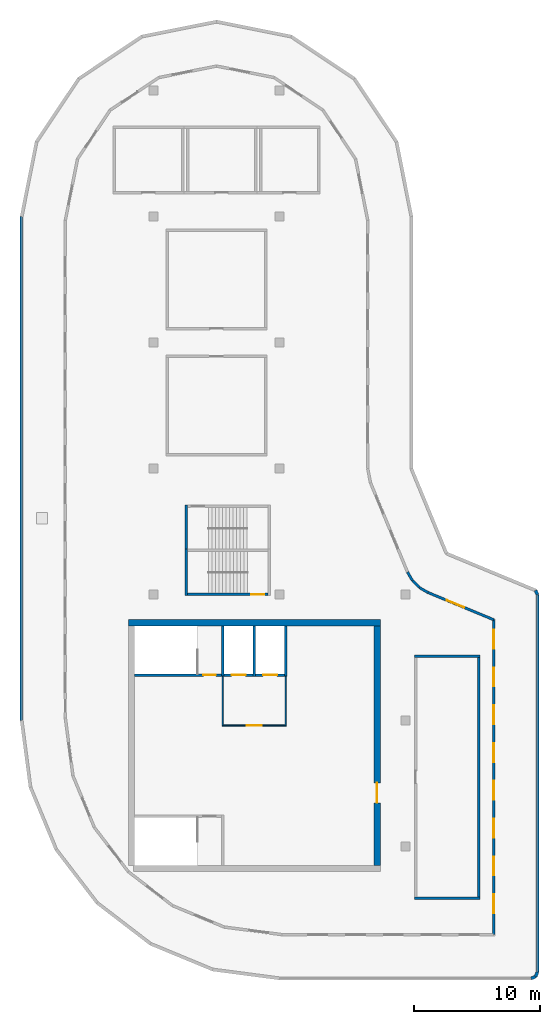
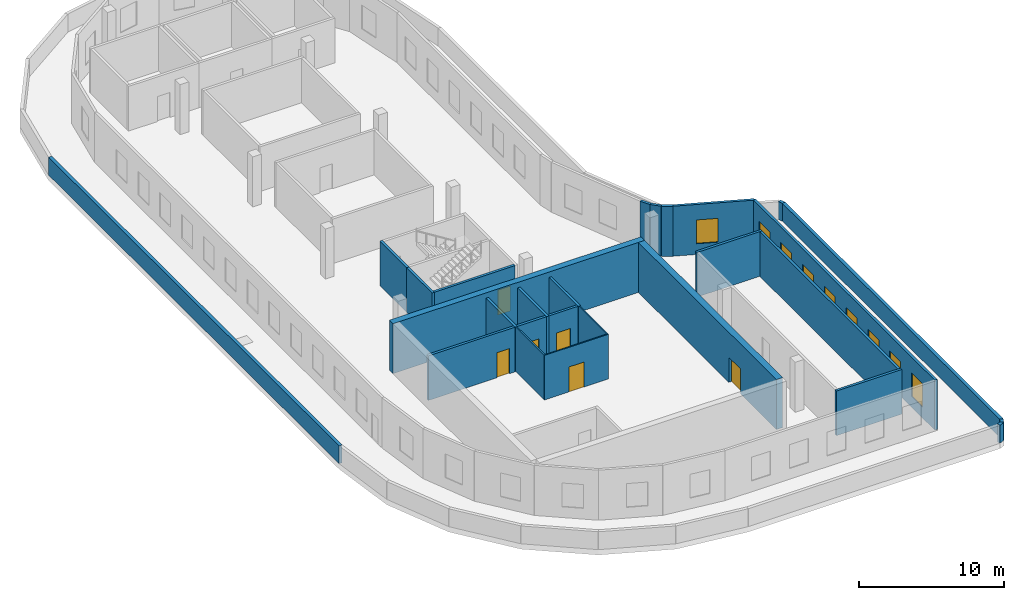
# One storey, part 2 of 6: 27 walls, 9 windows, 6 doors, 15 openings.
"""IFC4 building model written with IfcOpenShell, lengths in metres."""

from ifc_helpers import new_model, si_unit, direction, frame, frame_2d, origin, place, context, subcontext, project, spatial, rectangle, extrude, material, layer, layer_set, type_object, element, fill, save


model = new_model("IFC4")

# Units and contexts
model_context = context("Model", 3, precision=1e-05, world=origin(), true_north=direction((0.0, 1.0)))
body_context = subcontext(model_context, "Body", "Model", "MODEL_VIEW")
ifc_project = project(units=[si_unit("LENGTHUNIT", "METRE"), si_unit("AREAUNIT", "SQUARE_METRE"), si_unit("VOLUMEUNIT", "CUBIC_METRE"), si_unit("PLANEANGLEUNIT", "RADIAN"), si_unit("MASSUNIT", "GRAM", prefix="KILO")], contexts=[model_context])

# Site, building, storey
site_placement = place(None, origin())
site = spatial("IfcSite", under=ifc_project, at=site_placement, CompositionType="ELEMENT")
building_placement = place(site_placement, origin())
building = spatial("IfcBuilding", under=site, at=building_placement, Name="Qaws Garden Tower", CompositionType="ELEMENT")
storey_placement = place(building_placement, frame((0.0, 0.0, 365.39990234375)))
storey = spatial("IfcBuildingStorey", under=building, at=storey_placement, Name="C1", CompositionType="ELEMENT", Elevation=365.39990234375)

# Walls
ifc_material_1 = material(Name="Plasterboard")
ifc_layer_1 = layer(ifc_material_1, 0.10009765625)
ifc_layer_set_1 = layer_set([ifc_layer_1], Name="Plasterboard")
wall_type_1 = type_object("IfcWallType", Name="Core partition 100", PredefinedType="PARTITIONING", material=ifc_layer_set_1)
for number, where, z_axis, x_axis, name in (
    (1, (15.5, 19.60009765625, 0.0), (0.0, 0.0, 1.0), (0.0, 1.0, 0.0), "Lift lobby wall"),
    (2, (20.5, 19.60009765625, 0.0), (0.0, 0.0, 1.0), (0.0, 1.0, 0.0), "Lift lobby wall"),
):
    element("IfcWall", number, at=place(storey_placement, frame(where, z_axis=z_axis, x_axis=x_axis)), inside=storey, type_object=wall_type_1, Name=name, PredefinedType="PARTITIONING", context=body_context, shape_type="SweptSolid", body=[
        extrude(rectangle(XDim=3.89990234375, YDim=0.10009765625, at=frame_2d((1.949951171875, 0.0))), origin(), (0.0, 0.0, 1.0), 3.75),
    ])

# Wall, opening, door
wall_1_placement = place(storey_placement, frame((15.449951171875, 19.60009765625, 0.0), z_axis=(0.0, 0.0, 1.0), x_axis=(1.0, 0.0, 0.0)))
wall_1 = element("IfcWall", 3, at=wall_1_placement, inside=storey, type_object=wall_type_1, Name="Lift lobby wall", PredefinedType="PARTITIONING", context=body_context, shape_type="SweptSolid", body=[
    extrude(rectangle(XDim=5.10009765625, YDim=0.10009765625, at=frame_2d((2.550048828125, 0.0))), origin(), (0.0, 0.0, 1.0), 3.75),
])
opening_1_placement = place(wall_1_placement, frame((1.949951171875, 0.0, 0.0)))
opening_1 = element("IfcOpeningElement", 4, at=opening_1_placement, cuts=wall_1, Name="Opening FD", PredefinedType="OPENING", context=body_context, shape_type="SweptSolid", body=[
    extrude(rectangle(XDim=1.199951171875, YDim=2.10009765625, at=frame_2d((0.60009765625, 1.050048828125))), frame((0.0, 0.06005859375, 0.0), z_axis=(0.0, -1.0, 0.0), x_axis=(1.0, 0.0, 0.0)), (0.0, 0.0, 1.0), 0.1201171875),
])
ifc_material_2 = material(Name="Steel S235", Category="steel")
door_type_1 = type_object("IfcDoorType", Name="Lobby door 1200x2100", OperationType="DOUBLE_DOOR_SINGLE_SWING", PredefinedType="DOOR", material=ifc_material_2)
door_1_placement = place(opening_1_placement, origin())
door_1 = element("IfcDoor", 5, at=door_1_placement, inside=storey, type_object=door_type_1, Name="Crown lift lobby door", OperationType="DOUBLE_DOOR_SINGLE_SWING", OverallHeight=2.10009765625, OverallWidth=1.199951171875, PredefinedType="DOOR", context=body_context, shape_type="SweptSolid", body=[
    extrude(rectangle(XDim=1.199951171875, YDim=2.10009765625, at=frame_2d((0.60009765625, 1.050048828125))), frame((0.0, 0.02490234375, 0.0), z_axis=(0.0, -1.0, 0.0), x_axis=(1.0, 0.0, 0.0)), (0.0, 0.0, 1.0), 0.050048828125),
])
fill(opening_1, door_1)

# Wall
ifc_material_3 = material(Name="Concrete C60", Category="concrete")
ifc_layer_2 = layer(ifc_material_3, 0.199951171875)
ifc_layer_set_2 = layer_set([ifc_layer_2], Name="Concrete C60")
wall_type_2 = type_object("IfcWallType", Name="Core shaft wall 200 C60", PredefinedType="SHEAR", material=ifc_layer_set_2)
wall_2_placement = place(storey_placement, frame((15.5, 23.5, 0.0), z_axis=(0.0, 0.0, 1.0), x_axis=(0.0, 1.0, 0.0)))
element("IfcWall", 6, at=wall_2_placement, inside=storey, type_object=wall_type_2, Name="Stair 4 wall", PredefinedType="SHEAR", context=body_context, shape_type="SweptSolid", body=[
    extrude(rectangle(XDim=4.0, YDim=0.199951171875, at=frame_2d((2.0, 0.0))), origin(), (0.0, 0.0, 1.0), 3.75),
])

# Wall, opening, door
wall_3_placement = place(storey_placement, frame((8.5, 23.60009765625, 0.0), z_axis=(0.0, 0.0, 1.0), x_axis=(1.0, 0.0, 0.0)))
wall_3 = element("IfcWall", 7, at=wall_3_placement, inside=storey, type_object=wall_type_2, Name="Stair 4 wall", PredefinedType="SHEAR", context=body_context, shape_type="SweptSolid", body=[
    extrude(rectangle(XDim=6.89990234375, YDim=0.199951171875, at=frame_2d((3.449951171875, 0.0))), origin(), (0.0, 0.0, 1.0), 3.75),
])
opening_2_placement = place(wall_3_placement, frame((5.449951171875, 0.0, 0.0)))
opening_2 = element("IfcOpeningElement", 8, at=opening_2_placement, cuts=wall_3, Name="Opening C1016", PredefinedType="OPENING", context=body_context, shape_type="SweptSolid", body=[
    extrude(rectangle(XDim=1.0, YDim=2.10009765625, at=frame_2d((0.5, 1.050048828125))), frame((0.0, 0.10986328125, 0.0), z_axis=(0.0, -1.0, 0.0), x_axis=(1.0, 0.0, 0.0)), (0.0, 0.0, 1.0), 0.219970703125),
])
ifc_material_4 = material(Name="Steel S235", Category="steel")
door_type_2 = type_object("IfcDoorType", Name="Stair door 1000x2100", OperationType="SINGLE_SWING_RIGHT", PredefinedType="DOOR", material=ifc_material_4)
door_2_placement = place(opening_2_placement, origin())
door_2 = element("IfcDoor", 9, at=door_2_placement, inside=storey, type_object=door_type_2, Name="Stair 4 door", OperationType="SINGLE_SWING_RIGHT", OverallHeight=2.10009765625, OverallWidth=1.0, PredefinedType="DOOR", context=body_context, shape_type="SweptSolid", body=[
    extrude(rectangle(XDim=1.0, YDim=2.10009765625, at=frame_2d((0.5, 1.050048828125))), frame((0.0, 0.02490234375, 0.0), z_axis=(0.0, -1.0, 0.0), x_axis=(1.0, 0.0, 0.0)), (0.0, 0.0, 1.0), 0.050048828125),
])
fill(opening_2, door_2)

wall_4_placement = place(storey_placement, frame((12.699951171875, 30.0, 0.0), z_axis=(0.0, 0.0, 1.0), x_axis=(1.0, 0.0, 0.0)))
wall_4 = element("IfcWall", 10, at=wall_4_placement, inside=storey, type_object=wall_type_2, Name="Crown stair 1 wall", PredefinedType="SHEAR", context=body_context, shape_type="SweptSolid", body=[
    extrude(rectangle(XDim=6.400146484375, YDim=0.199951171875, at=frame_2d((3.2001953125, 0.0))), origin(), (0.0, 0.0, 1.0), 3.75),
])
opening_3_placement = place(wall_4_placement, frame((5.074951171875, 0.0, 0.0)))
opening_3 = element("IfcOpeningElement", 11, at=opening_3_placement, cuts=wall_4, Name="Opening C1015", PredefinedType="OPENING", context=body_context, shape_type="SweptSolid", body=[
    extrude(rectangle(XDim=1.0, YDim=2.10009765625, at=frame_2d((0.5, 1.050048828125))), frame((0.0, 0.10986328125, 0.0), z_axis=(0.0, -1.0, 0.0), x_axis=(1.0, 0.0, 0.0)), (0.0, 0.0, 1.0), 0.219970703125),
])
door_3_placement = place(opening_3_placement, origin())
door_3 = element("IfcDoor", 12, at=door_3_placement, inside=storey, type_object=door_type_2, Name="Crown stair 1 door", OperationType="SINGLE_SWING_RIGHT", OverallHeight=2.10009765625, OverallWidth=1.0, PredefinedType="DOOR", context=body_context, shape_type="SweptSolid", body=[
    extrude(rectangle(XDim=1.0, YDim=2.10009765625, at=frame_2d((0.5, 1.050048828125))), frame((0.0, 0.02490234375, 0.0), z_axis=(0.0, -1.0, 0.0), x_axis=(1.0, 0.0, 0.0)), (0.0, 0.0, 1.0), 0.050048828125),
])
fill(opening_3, door_3)

# Walls
for number, where, z_axis, x_axis, name in (
    (13, (12.60009765625, 29.89990234375, 0.0), (0.0, 0.0, 1.0), (0.0, 1.0, 0.0), "Crown stair 1 wall"),
    (14, (12.60009765625, 33.39990234375, 0.0), (0.0, 0.0, 1.0), (0.0, 1.0, 0.0), "Crown stair 2 wall"),
):
    element("IfcWall", number, at=place(storey_placement, frame(where, z_axis=z_axis, x_axis=x_axis)), inside=storey, type_object=wall_type_2, Name=name, PredefinedType="SHEAR", context=body_context, shape_type="SweptSolid", body=[
        extrude(rectangle(XDim=3.7001953125, YDim=0.199951171875, at=frame_2d((1.85009765625, 0.0))), origin(), (0.0, 0.0, 1.0), 3.75),
    ])
for number, where, z_axis, x_axis, name in (
    (15, (18.0, 23.5, 0.0), (0.0, 0.0, 1.0), (0.0, 1.0, 0.0), "Lift shaft wall"),
    (16, (20.5, 23.5, 0.0), (0.0, 0.0, 1.0), (0.0, 1.0, 0.0), "Lift shaft wall"),
):
    element("IfcWall", number, at=place(storey_placement, frame(where, z_axis=z_axis, x_axis=x_axis)), inside=storey, type_object=wall_type_2, Name=name, PredefinedType="SHEAR", context=body_context, shape_type="SweptSolid", body=[
        extrude(rectangle(XDim=4.0, YDim=0.199951171875, at=frame_2d((2.0, 0.0))), origin(), (0.0, 0.0, 1.0), 3.75),
    ])

# Wall, opening, door
wall_5_placement = place(storey_placement, frame((15.60009765625, 23.60009765625, 0.0), z_axis=(0.0, 0.0, 1.0), x_axis=(1.0, 0.0, 0.0)))
wall_5 = element("IfcWall", 17, at=wall_5_placement, inside=storey, type_object=wall_type_2, Name="Lift shaft wall", PredefinedType="SHEAR", context=body_context, shape_type="SweptSolid", body=[
    extrude(rectangle(XDim=2.2998046875, YDim=0.199951171875, at=frame_2d((1.14990234375, 0.0))), origin(), (0.0, 0.0, 1.0), 3.75),
])
opening_4_placement = place(wall_5_placement, frame((0.60009765625, 0.0, 0.0)))
opening_4 = element("IfcOpeningElement", 18, at=opening_4_placement, cuts=wall_5, Name="Opening LD", PredefinedType="OPENING", context=body_context, shape_type="SweptSolid", body=[
    extrude(rectangle(XDim=1.10009765625, YDim=2.10009765625, at=frame_2d((0.550048828125, 1.050048828125))), frame((0.0, 0.10986328125, 0.0), z_axis=(0.0, -1.0, 0.0), x_axis=(1.0, 0.0, 0.0)), (0.0, 0.0, 1.0), 0.219970703125),
])
ifc_material_5 = material(Name="Steel S235", Category="steel")
door_type_3 = type_object("IfcDoorType", Name="Landing door 1100x2100", OperationType="DOUBLE_DOOR_SLIDING", PredefinedType="DOOR", material=ifc_material_5)
door_4_placement = place(opening_4_placement, origin())
door_4 = element("IfcDoor", 19, at=door_4_placement, inside=storey, type_object=door_type_3, Name="Lift FF3 landing door", OperationType="DOUBLE_DOOR_SLIDING", OverallHeight=2.10009765625, OverallWidth=1.10009765625, PredefinedType="DOOR", context=body_context, shape_type="SweptSolid", body=[
    extrude(rectangle(XDim=1.10009765625, YDim=2.10009765625, at=frame_2d((0.550048828125, 1.050048828125))), frame((0.0, 0.02490234375, 0.0), z_axis=(0.0, -1.0, 0.0), x_axis=(1.0, 0.0, 0.0)), (0.0, 0.0, 1.0), 0.050048828125),
])
fill(opening_4, door_4)

wall_6_placement = place(storey_placement, frame((18.10009765625, 23.60009765625, 0.0), z_axis=(0.0, 0.0, 1.0), x_axis=(1.0, 0.0, 0.0)))
wall_6 = element("IfcWall", 20, at=wall_6_placement, inside=storey, type_object=wall_type_2, Name="Lift shaft wall", PredefinedType="SHEAR", context=body_context, shape_type="SweptSolid", body=[
    extrude(rectangle(XDim=2.2998046875, YDim=0.199951171875, at=frame_2d((1.14990234375, 0.0))), origin(), (0.0, 0.0, 1.0), 3.75),
])
opening_5_placement = place(wall_6_placement, frame((0.60009765625, 0.0, 0.0)))
opening_5 = element("IfcOpeningElement", 21, at=opening_5_placement, cuts=wall_6, Name="Opening LD", PredefinedType="OPENING", context=body_context, shape_type="SweptSolid", body=[
    extrude(rectangle(XDim=1.10009765625, YDim=2.10009765625, at=frame_2d((0.550048828125, 1.050048828125))), frame((0.0, 0.10986328125, 0.0), z_axis=(0.0, -1.0, 0.0), x_axis=(1.0, 0.0, 0.0)), (0.0, 0.0, 1.0), 0.219970703125),
])
door_5_placement = place(opening_5_placement, origin())
door_5 = element("IfcDoor", 22, at=door_5_placement, inside=storey, type_object=door_type_3, Name="Lift SV2 landing door", OperationType="DOUBLE_DOOR_SLIDING", OverallHeight=2.10009765625, OverallWidth=1.10009765625, PredefinedType="DOOR", context=body_context, shape_type="SweptSolid", body=[
    extrude(rectangle(XDim=1.10009765625, YDim=2.10009765625, at=frame_2d((0.550048828125, 1.050048828125))), frame((0.0, 0.02490234375, 0.0), z_axis=(0.0, -1.0, 0.0), x_axis=(1.0, 0.0, 0.0)), (0.0, 0.0, 1.0), 0.050048828125),
])
fill(opening_5, door_5)

ifc_material_6 = material(Name="Concrete C60", Category="concrete")
ifc_layer_3 = layer(ifc_material_6, 0.5)
ifc_layer_set_3 = layer_set([ifc_layer_3], Name="Concrete C60")
wall_type_3 = type_object("IfcWallType", Name="Core wall 500 C60", PredefinedType="SHEAR", material=ifc_layer_set_3)
wall_7_placement = place(storey_placement, frame((27.75, 8.5, 0.0), z_axis=(0.0, 0.0, 1.0), x_axis=(0.0, 1.0, 0.0)))
wall_7 = element("IfcWall", 23, at=wall_7_placement, inside=storey, type_object=wall_type_3, Name="Core wall C1 east", PredefinedType="SHEAR", context=body_context, shape_type="SweptSolid", body=[
    extrude(rectangle(XDim=19.0, YDim=0.5, at=frame_2d((9.5, 0.0))), origin(), (0.0, 0.0, 1.0), 4.2001953125),
])
opening_6_placement = place(wall_7_placement, frame((4.949951171875, 0.0, 0.0)))
opening_6 = element("IfcOpeningElement", 24, at=opening_6_placement, cuts=wall_7, Name="Opening C1017", PredefinedType="OPENING", context=body_context, shape_type="SweptSolid", body=[
    extrude(rectangle(XDim=1.60009765625, YDim=2.10009765625, at=frame_2d((0.800048828125, 1.050048828125))), frame((0.0, 0.260009765625, 0.0), z_axis=(0.0, -1.0, 0.0), x_axis=(1.0, 0.0, 0.0)), (0.0, 0.0, 1.0), 0.52001953125),
])
ifc_material_7 = material(Name="Steel S235", Category="steel")
door_type_4 = type_object("IfcDoorType", Name="Core entrance door 1600x2100", OperationType="DOUBLE_DOOR_SINGLE_SWING", PredefinedType="DOOR", material=ifc_material_7)
door_6_placement = place(opening_6_placement, origin())
door_6 = element("IfcDoor", 25, at=door_6_placement, inside=storey, type_object=door_type_4, Name="Crown core entrance door", OperationType="DOUBLE_DOOR_SINGLE_SWING", OverallHeight=2.10009765625, OverallWidth=1.60009765625, PredefinedType="DOOR", context=body_context, shape_type="SweptSolid", body=[
    extrude(rectangle(XDim=1.60009765625, YDim=2.10009765625, at=frame_2d((0.800048828125, 1.050048828125))), frame((0.0, 0.02490234375, 0.0), z_axis=(0.0, -1.0, 0.0), x_axis=(1.0, 0.0, 0.0)), (0.0, 0.0, 1.0), 0.050048828125),
])
fill(opening_6, door_6)

# Walls
wall_8_placement = place(storey_placement, frame((28.0, 27.75, 0.0), z_axis=(0.0, 0.0, 1.0), x_axis=(-1.0, 0.0, 0.0)))
element("IfcWall", 26, at=wall_8_placement, inside=storey, type_object=wall_type_3, Name="Core wall C1 north", PredefinedType="SHEAR", context=body_context, shape_type="SweptSolid", body=[
    extrude(rectangle(XDim=20.0, YDim=0.5, at=frame_2d((10.0, 0.0))), origin(), (0.0, 0.0, 1.0), 4.2001953125),
])
ifc_material_8 = material(Name="Brick masonry", Category="masonry")
ifc_layer_4 = layer(ifc_material_8, 0.25)
ifc_layer_set_4 = layer_set([ifc_layer_4], Name="Brick masonry")
wall_type_4 = type_object("IfcWallType", Name="Parapet 250", PredefinedType="PARAPET", material=ifc_layer_set_4)
wall_9_placement = place(storey_placement, frame((40.32861328125, 30.32861328125, 0.0), z_axis=(0.0, 0.0, 1.0), x_axis=(0.382802560388, -0.92383017907, 0.0)))
element("IfcWall", 27, at=wall_9_placement, inside=storey, type_object=wall_type_4, Name="Maintenance terrace parapet C1", PredefinedType="PARAPET", context=body_context, shape_type="SweptSolid", body=[
    extrude(rectangle(XDim=0.382568359375, YDim=0.25, at=frame_2d((0.19140625, 0.0))), origin(), (0.0, 0.0, 1.0), 1.5),
])
wall_10_placement = place(storey_placement, frame((40.47509765625, 29.97509765625, 0.0), z_axis=(0.0, 0.0, 1.0), x_axis=(0.0, -1.0, 0.0)))
element("IfcWall", 28, at=wall_10_placement, inside=storey, type_object=wall_type_4, Name="Maintenance terrace parapet C1", PredefinedType="PARAPET", context=body_context, shape_type="SweptSolid", body=[
    extrude(rectangle(XDim=29.9501953125, YDim=0.25, at=frame_2d((14.97509765625, 0.0))), origin(), (0.0, 0.0, 1.0), 1.5),
])
for number, where, z_axis, x_axis, name in (
    (29, (40.47509765625, 0.02490234375, 0.0), (0.0, 0.0, 1.0), (-0.382802560388, -0.92383017907, 0.0), "Maintenance terrace parapet C1"),
    (30, (40.32861328125, -0.32861328125, 0.0), (0.0, 0.0, 1.0), (-0.92383017907, -0.382802560388, 0.0), "Maintenance terrace parapet C1"),
):
    element("IfcWall", number, at=place(storey_placement, frame(where, z_axis=z_axis, x_axis=x_axis)), inside=storey, type_object=wall_type_4, Name=name, PredefinedType="PARAPET", context=body_context, shape_type="SweptSolid", body=[
        extrude(rectangle(XDim=0.382568359375, YDim=0.25, at=frame_2d((0.19140625, 0.0))), origin(), (0.0, 0.0, 1.0), 1.5),
    ])
wall_11_placement = place(storey_placement, frame((-0.47509765625, 20.00830078125, 0.0), z_axis=(0.0, 0.0, 1.0), x_axis=(0.0, 1.0, 0.0)))
element("IfcWall", 31, at=wall_11_placement, inside=storey, type_object=wall_type_4, Name="Maintenance terrace parapet C1", PredefinedType="PARAPET", context=body_context, shape_type="SweptSolid", body=[
    extrude(rectangle(XDim=39.9794921875, YDim=0.25, at=frame_2d((19.98974609375, 0.0))), origin(), (0.0, 0.0, 1.0), 1.5),
])
ifc_material_9 = material(Name="Blockwork", Category="masonry")
ifc_layer_5 = layer(ifc_material_9, 0.199951171875)
ifc_layer_set_5 = layer_set([ifc_layer_5], Name="Blockwork")
wall_type_5 = type_object("IfcWallType", Name="Plant room wall 200", PredefinedType="PARTITIONING", material=ifc_layer_set_5)
for number, where, z_axis, x_axis, name in (
    (32, (30.699951171875, 5.89990234375, 0.0), (0.0, 0.0, 1.0), (1.0, 0.0, 0.0), "Boiler plant room wall"),
    (33, (30.699951171875, 25.10009765625, 0.0), (0.0, 0.0, 1.0), (1.0, 0.0, 0.0), "Boiler plant room wall"),
):
    element("IfcWall", number, at=place(storey_placement, frame(where, z_axis=z_axis, x_axis=x_axis)), inside=storey, type_object=wall_type_5, Name=name, PredefinedType="PARTITIONING", context=body_context, shape_type="SweptSolid", body=[
        extrude(rectangle(XDim=5.199951171875, YDim=0.199951171875, at=frame_2d((2.60009765625, 0.0))), origin(), (0.0, 0.0, 1.0), 3.75),
    ])
wall_12_placement = place(storey_placement, frame((35.800048828125, 6.0, 0.0), z_axis=(0.0, 0.0, 1.0), x_axis=(0.0, 1.0, 0.0)))
element("IfcWall", 34, at=wall_12_placement, inside=storey, type_object=wall_type_5, Name="Boiler plant room wall", PredefinedType="PARTITIONING", context=body_context, shape_type="SweptSolid", body=[
    extrude(rectangle(XDim=19.0, YDim=0.199951171875, at=frame_2d((9.5, 0.0))), origin(), (0.0, 0.0, 1.0), 3.75),
])
ifc_material_10 = material(Name="Brick masonry", Category="masonry")
ifc_layer_6 = layer(ifc_material_10, 0.199951171875)
ifc_layer_set_6 = layer_set([ifc_layer_6], Name="Brick masonry")
wall_type_6 = type_object("IfcWallType", Name="Plant screen louvre 200", PredefinedType="STANDARD", material=ifc_layer_set_6)
wall_13_placement = place(storey_placement, frame((30.159912109375, 31.77490234375, 0.0), z_axis=(0.0, 0.0, 1.0), x_axis=(0.49972245349, -0.866185586049, 0.0)))
element("IfcWall", 35, at=wall_13_placement, inside=storey, type_object=wall_type_6, Name="Plant screen wall C1 19", PredefinedType="STANDARD", context=body_context, shape_type="SweptSolid", body=[
    extrude(rectangle(XDim=0.77685546875, YDim=0.199951171875, at=frame_2d((0.388427734375, 0.0))), origin(), (0.0, 0.0, 1.0), 4.2001953125),
])
wall_14_placement = place(storey_placement, frame((30.548095703125, 31.10205078125, 0.0), z_axis=(0.0, 0.0, 1.0), x_axis=(0.707106781187, -0.707106781187, 0.0)))
element("IfcWall", 36, at=wall_14_placement, inside=storey, type_object=wall_type_6, Name="Plant screen wall C1 20", PredefinedType="STANDARD", context=body_context, shape_type="SweptSolid", body=[
    extrude(rectangle(XDim=0.783447265625, YDim=0.199951171875, at=frame_2d((0.3916015625, 0.0))), origin(), (0.0, 0.0, 1.0), 4.2001953125),
])
wall_15_placement = place(storey_placement, frame((31.10205078125, 30.548095703125, 0.0), z_axis=(0.0, 0.0, 1.0), x_axis=(0.866185586049, -0.49972245349, 0.0)))
element("IfcWall", 37, at=wall_15_placement, inside=storey, type_object=wall_type_6, Name="Plant screen wall C1 21", PredefinedType="STANDARD", context=body_context, shape_type="SweptSolid", body=[
    extrude(rectangle(XDim=0.77685546875, YDim=0.199951171875, at=frame_2d((0.388427734375, 0.0))), origin(), (0.0, 0.0, 1.0), 4.2001953125),
])

# Wall, opening, window
wall_16_placement = place(storey_placement, frame((31.77490234375, 30.159912109375, 0.0), z_axis=(0.0, 0.0, 1.0), x_axis=(0.923879512089, -0.382683481669, 0.0)))
wall_16 = element("IfcWall", 38, at=wall_16_placement, inside=storey, type_object=wall_type_6, Name="Plant screen wall C1 22", PredefinedType="STANDARD", context=body_context, shape_type="SweptSolid", body=[
    extrude(rectangle(XDim=5.655517578125, YDim=0.199951171875, at=frame_2d((2.82763671875, 0.0))), origin(), (0.0, 0.0, 1.0), 4.2001953125),
])
opening_7_placement = place(wall_16_placement, frame((1.627685546875, 0.0, 0.89990234375)))
opening_7 = element("IfcOpeningElement", 39, at=opening_7_placement, cuts=wall_16, Name="Opening PW-S4", PredefinedType="OPENING", context=body_context, shape_type="SweptSolid", body=[
    extrude(rectangle(XDim=1.5, YDim=2.0, at=frame_2d((0.75, 1.0))), frame((0.0, 0.10986328125, 0.0), z_axis=(0.0, -1.0, 0.0), x_axis=(1.0, 0.0, 0.0)), (0.0, 0.0, 1.0), 0.219970703125),
])
ifc_material_11 = material(Name="Aluminium louvre", Category="aluminium")
window_type = type_object("IfcWindowType", Name="Plant louvre 1500", PartitioningType="SINGLE_PANEL", PredefinedType="WINDOW", material=ifc_material_11)
window_1_placement = place(opening_7_placement, origin())
window_1 = element("IfcWindow", 40, at=window_1_placement, inside=storey, type_object=window_type, Name="Plant louvre", OverallHeight=2.0, OverallWidth=1.5, PartitioningType="SINGLE_PANEL", PredefinedType="WINDOW", context=body_context, shape_type="SweptSolid", body=[
    extrude(rectangle(XDim=1.5, YDim=2.0, at=frame_2d((0.75, 1.0))), frame((0.0, 0.030029296875, 0.0), z_axis=(0.0, -1.0, 0.0), x_axis=(1.0, 0.0, 0.0)), (0.0, 0.0, 1.0), 0.06005859375),
])
fill(opening_7, window_1)

# Wall, openings, windows
wall_17_placement = place(storey_placement, frame((37.0, 27.99560546875, 0.0), z_axis=(0.0, 0.0, 1.0), x_axis=(0.0, -1.0, 0.0)))
wall_17 = element("IfcWall", 41, at=wall_17_placement, inside=storey, type_object=wall_type_6, Name="Plant screen wall C1 23", PredefinedType="STANDARD", context=body_context, shape_type="SweptSolid", body=[
    extrude(rectangle(XDim=24.99560546875, YDim=0.199951171875, at=frame_2d((12.497802734375, 0.0))), origin(), (0.0, 0.0, 1.0), 4.2001953125),
])
opening_8_placement = place(wall_17_placement, frame((0.797607421875, 0.0, 0.89990234375)))
opening_8 = element("IfcOpeningElement", 42, at=opening_8_placement, cuts=wall_17, Name="Opening PW-S4", PredefinedType="OPENING", context=body_context, shape_type="SweptSolid", body=[
    extrude(rectangle(XDim=1.5, YDim=2.0, at=frame_2d((0.75, 1.0))), frame((0.0, 0.10986328125, 0.0), z_axis=(0.0, -1.0, 0.0), x_axis=(1.0, 0.0, 0.0)), (0.0, 0.0, 1.0), 0.219970703125),
])
opening_9_placement = place(wall_17_placement, frame((3.797607421875, 0.0, 0.89990234375)))
opening_9 = element("IfcOpeningElement", 43, at=opening_9_placement, cuts=wall_17, Name="Opening PW-S4", PredefinedType="OPENING", context=body_context, shape_type="SweptSolid", body=[
    extrude(rectangle(XDim=1.5, YDim=2.0, at=frame_2d((0.75, 1.0))), frame((0.0, 0.10986328125, 0.0), z_axis=(0.0, -1.0, 0.0), x_axis=(1.0, 0.0, 0.0)), (0.0, 0.0, 1.0), 0.219970703125),
])
opening_10_placement = place(wall_17_placement, frame((6.797607421875, 0.0, 0.89990234375)))
opening_10 = element("IfcOpeningElement", 44, at=opening_10_placement, cuts=wall_17, Name="Opening PW-S4", PredefinedType="OPENING", context=body_context, shape_type="SweptSolid", body=[
    extrude(rectangle(XDim=1.5, YDim=2.0, at=frame_2d((0.75, 1.0))), frame((0.0, 0.10986328125, 0.0), z_axis=(0.0, -1.0, 0.0), x_axis=(1.0, 0.0, 0.0)), (0.0, 0.0, 1.0), 0.219970703125),
])
opening_11_placement = place(wall_17_placement, frame((9.797607421875, 0.0, 0.89990234375)))
opening_11 = element("IfcOpeningElement", 45, at=opening_11_placement, cuts=wall_17, Name="Opening PW-S4", PredefinedType="OPENING", context=body_context, shape_type="SweptSolid", body=[
    extrude(rectangle(XDim=1.5, YDim=2.0, at=frame_2d((0.75, 1.0))), frame((0.0, 0.10986328125, 0.0), z_axis=(0.0, -1.0, 0.0), x_axis=(1.0, 0.0, 0.0)), (0.0, 0.0, 1.0), 0.219970703125),
])
opening_12_placement = place(wall_17_placement, frame((12.797607421875, 0.0, 0.89990234375)))
opening_12 = element("IfcOpeningElement", 46, at=opening_12_placement, cuts=wall_17, Name="Opening PW-S4", PredefinedType="OPENING", context=body_context, shape_type="SweptSolid", body=[
    extrude(rectangle(XDim=1.5, YDim=2.0, at=frame_2d((0.75, 1.0))), frame((0.0, 0.10986328125, 0.0), z_axis=(0.0, -1.0, 0.0), x_axis=(1.0, 0.0, 0.0)), (0.0, 0.0, 1.0), 0.219970703125),
])
opening_13_placement = place(wall_17_placement, frame((15.797607421875, 0.0, 0.89990234375)))
opening_13 = element("IfcOpeningElement", 47, at=opening_13_placement, cuts=wall_17, Name="Opening PW-S4", PredefinedType="OPENING", context=body_context, shape_type="SweptSolid", body=[
    extrude(rectangle(XDim=1.5, YDim=2.0, at=frame_2d((0.75, 1.0))), frame((0.0, 0.10986328125, 0.0), z_axis=(0.0, -1.0, 0.0), x_axis=(1.0, 0.0, 0.0)), (0.0, 0.0, 1.0), 0.219970703125),
])
opening_14_placement = place(wall_17_placement, frame((18.797607421875, 0.0, 0.89990234375)))
opening_14 = element("IfcOpeningElement", 48, at=opening_14_placement, cuts=wall_17, Name="Opening PW-S4", PredefinedType="OPENING", context=body_context, shape_type="SweptSolid", body=[
    extrude(rectangle(XDim=1.5, YDim=2.0, at=frame_2d((0.75, 1.0))), frame((0.0, 0.10986328125, 0.0), z_axis=(0.0, -1.0, 0.0), x_axis=(1.0, 0.0, 0.0)), (0.0, 0.0, 1.0), 0.219970703125),
])
opening_15_placement = place(wall_17_placement, frame((21.797607421875, 0.0, 0.89990234375)))
opening_15 = element("IfcOpeningElement", 49, at=opening_15_placement, cuts=wall_17, Name="Opening PW-S4", PredefinedType="OPENING", context=body_context, shape_type="SweptSolid", body=[
    extrude(rectangle(XDim=1.5, YDim=2.0, at=frame_2d((0.75, 1.0))), frame((0.0, 0.10986328125, 0.0), z_axis=(0.0, -1.0, 0.0), x_axis=(1.0, 0.0, 0.0)), (0.0, 0.0, 1.0), 0.219970703125),
])
window_2_placement = place(opening_8_placement, origin())
window_2 = element("IfcWindow", 50, at=window_2_placement, inside=storey, type_object=window_type, Name="Plant louvre", OverallHeight=2.0, OverallWidth=1.5, PartitioningType="SINGLE_PANEL", PredefinedType="WINDOW", context=body_context, shape_type="SweptSolid", body=[
    extrude(rectangle(XDim=1.5, YDim=2.0, at=frame_2d((0.75, 1.0))), frame((0.0, 0.030029296875, 0.0), z_axis=(0.0, -1.0, 0.0), x_axis=(1.0, 0.0, 0.0)), (0.0, 0.0, 1.0), 0.06005859375),
])
fill(opening_8, window_2)
window_3_placement = place(opening_9_placement, origin())
window_3 = element("IfcWindow", 51, at=window_3_placement, inside=storey, type_object=window_type, Name="Plant louvre", OverallHeight=2.0, OverallWidth=1.5, PartitioningType="SINGLE_PANEL", PredefinedType="WINDOW", context=body_context, shape_type="SweptSolid", body=[
    extrude(rectangle(XDim=1.5, YDim=2.0, at=frame_2d((0.75, 1.0))), frame((0.0, 0.030029296875, 0.0), z_axis=(0.0, -1.0, 0.0), x_axis=(1.0, 0.0, 0.0)), (0.0, 0.0, 1.0), 0.06005859375),
])
fill(opening_9, window_3)
window_4_placement = place(opening_10_placement, origin())
window_4 = element("IfcWindow", 52, at=window_4_placement, inside=storey, type_object=window_type, Name="Plant louvre", OverallHeight=2.0, OverallWidth=1.5, PartitioningType="SINGLE_PANEL", PredefinedType="WINDOW", context=body_context, shape_type="SweptSolid", body=[
    extrude(rectangle(XDim=1.5, YDim=2.0, at=frame_2d((0.75, 1.0))), frame((0.0, 0.030029296875, 0.0), z_axis=(0.0, -1.0, 0.0), x_axis=(1.0, 0.0, 0.0)), (0.0, 0.0, 1.0), 0.06005859375),
])
fill(opening_10, window_4)
window_5_placement = place(opening_11_placement, origin())
window_5 = element("IfcWindow", 53, at=window_5_placement, inside=storey, type_object=window_type, Name="Plant louvre", OverallHeight=2.0, OverallWidth=1.5, PartitioningType="SINGLE_PANEL", PredefinedType="WINDOW", context=body_context, shape_type="SweptSolid", body=[
    extrude(rectangle(XDim=1.5, YDim=2.0, at=frame_2d((0.75, 1.0))), frame((0.0, 0.030029296875, 0.0), z_axis=(0.0, -1.0, 0.0), x_axis=(1.0, 0.0, 0.0)), (0.0, 0.0, 1.0), 0.06005859375),
])
fill(opening_11, window_5)
window_6_placement = place(opening_12_placement, origin())
window_6 = element("IfcWindow", 54, at=window_6_placement, inside=storey, type_object=window_type, Name="Plant louvre", OverallHeight=2.0, OverallWidth=1.5, PartitioningType="SINGLE_PANEL", PredefinedType="WINDOW", context=body_context, shape_type="SweptSolid", body=[
    extrude(rectangle(XDim=1.5, YDim=2.0, at=frame_2d((0.75, 1.0))), frame((0.0, 0.030029296875, 0.0), z_axis=(0.0, -1.0, 0.0), x_axis=(1.0, 0.0, 0.0)), (0.0, 0.0, 1.0), 0.06005859375),
])
fill(opening_12, window_6)
window_7_placement = place(opening_13_placement, origin())
window_7 = element("IfcWindow", 55, at=window_7_placement, inside=storey, type_object=window_type, Name="Plant louvre", OverallHeight=2.0, OverallWidth=1.5, PartitioningType="SINGLE_PANEL", PredefinedType="WINDOW", context=body_context, shape_type="SweptSolid", body=[
    extrude(rectangle(XDim=1.5, YDim=2.0, at=frame_2d((0.75, 1.0))), frame((0.0, 0.030029296875, 0.0), z_axis=(0.0, -1.0, 0.0), x_axis=(1.0, 0.0, 0.0)), (0.0, 0.0, 1.0), 0.06005859375),
])
fill(opening_13, window_7)
window_8_placement = place(opening_14_placement, origin())
window_8 = element("IfcWindow", 56, at=window_8_placement, inside=storey, type_object=window_type, Name="Plant louvre", OverallHeight=2.0, OverallWidth=1.5, PartitioningType="SINGLE_PANEL", PredefinedType="WINDOW", context=body_context, shape_type="SweptSolid", body=[
    extrude(rectangle(XDim=1.5, YDim=2.0, at=frame_2d((0.75, 1.0))), frame((0.0, 0.030029296875, 0.0), z_axis=(0.0, -1.0, 0.0), x_axis=(1.0, 0.0, 0.0)), (0.0, 0.0, 1.0), 0.06005859375),
])
fill(opening_14, window_8)
window_9_placement = place(opening_15_placement, origin())
window_9 = element("IfcWindow", 57, at=window_9_placement, inside=storey, type_object=window_type, Name="Plant louvre", OverallHeight=2.0, OverallWidth=1.5, PartitioningType="SINGLE_PANEL", PredefinedType="WINDOW", context=body_context, shape_type="SweptSolid", body=[
    extrude(rectangle(XDim=1.5, YDim=2.0, at=frame_2d((0.75, 1.0))), frame((0.0, 0.030029296875, 0.0), z_axis=(0.0, -1.0, 0.0), x_axis=(1.0, 0.0, 0.0)), (0.0, 0.0, 1.0), 0.06005859375),
])
fill(opening_15, window_9)

save(model, "model.ifc")
